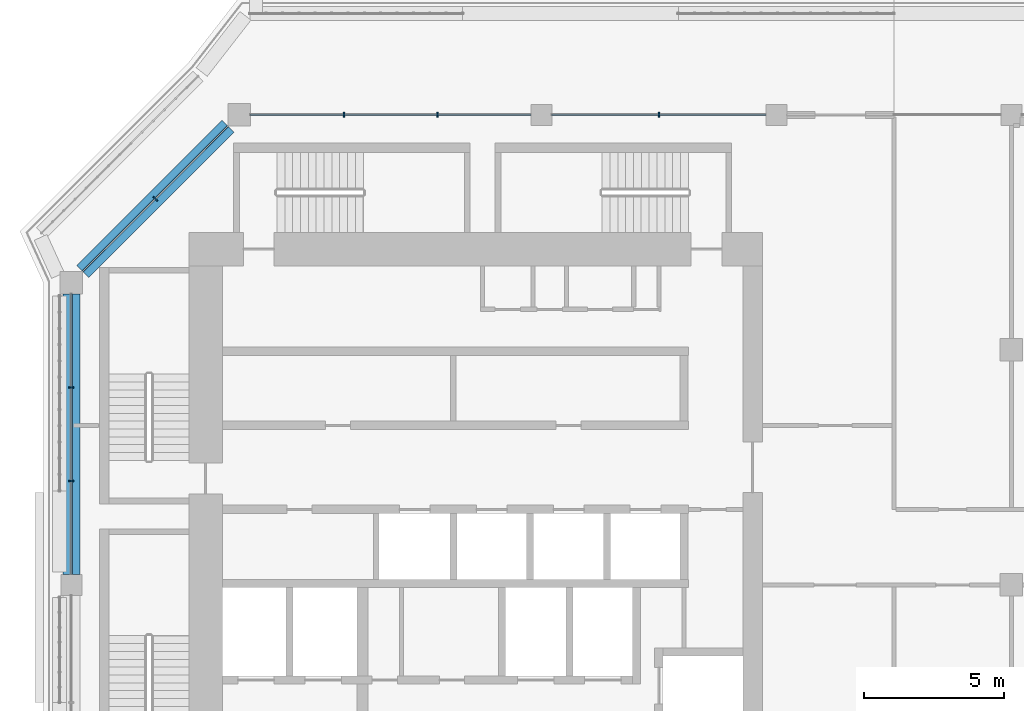
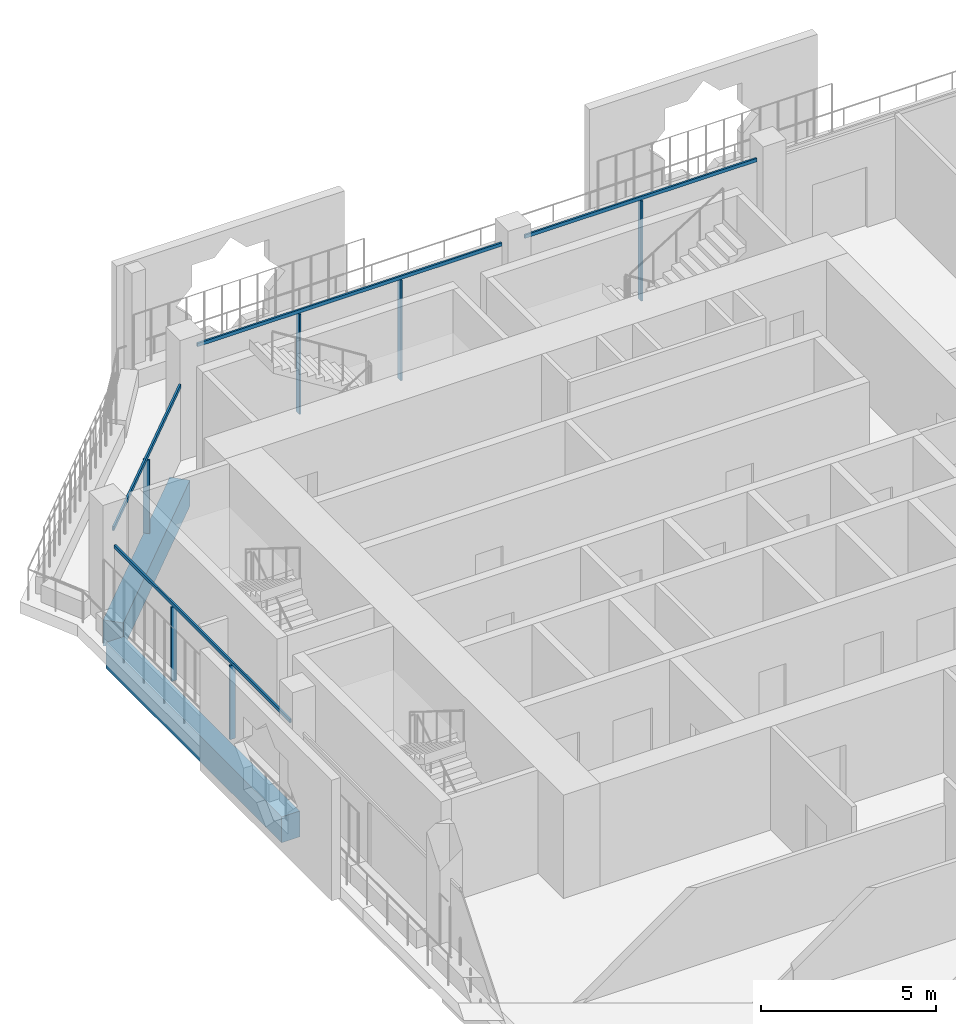
# One storey, part 6 of 21: 10 members, 2 beams, 3 elements without a shape of their own.
"""IFC4 building model written with IfcOpenShell, lengths in metres."""

from ifc_helpers import new_model, si_unit, direction, frame, origin, origin_2d, place, context, subcontext, project, spatial, rectangle, extrude, material, layer, layer_set, material_profile, profile_set, type_object, element, aggregate, save


model = new_model("IFC4")

# Units and contexts
model_context = context("Model", 3, precision=1e-05, world=origin(), true_north=direction((0.0, 1.0)))
body_context = subcontext(model_context, "Body", "Model", "MODEL_VIEW")
ifc_project = project(units=[si_unit("LENGTHUNIT", "METRE"), si_unit("AREAUNIT", "SQUARE_METRE"), si_unit("VOLUMEUNIT", "CUBIC_METRE"), si_unit("PLANEANGLEUNIT", "RADIAN"), si_unit("MASSUNIT", "GRAM", prefix="KILO")], contexts=[model_context])

# Site, building, storey
site_placement = place(None, origin())
site = spatial("IfcSite", under=ifc_project, at=site_placement, CompositionType="ELEMENT")
building_placement = place(site_placement, origin())
building = spatial("IfcBuilding", under=site, at=building_placement, Name="Kawkab Arch Medical Tower", CompositionType="ELEMENT")
storey_placement = place(building_placement, frame((0.0, 0.0, 319.60009765625)))
storey = spatial("IfcBuildingStorey", under=building, at=storey_placement, Name="L74", CompositionType="ELEMENT", Elevation=319.60009765625)

# Curtain wall, members
ifc_material_1 = material(Name="Bronze anodised aluminium curtain wall frame", Category="aluminium")
ifc_layer_1 = layer(ifc_material_1, 0.159912109375)
ifc_layer_set_1 = layer_set([ifc_layer_1], Name="Bronze anodised aluminium curtain wall frame")
curtain_wall_type_1 = type_object("IfcCurtainWallType", Name="CW1 ward curtain wall", PredefinedType="NOTDEFINED", material=ifc_layer_set_1)
placement = place(storey_placement, origin())
curtain_wall_1 = element("IfcCurtainWall", 1, at=placement, inside=storey, type_object=curtain_wall_type_1, Name="CW1 Ward curtain wall R02", PredefinedType="NOTDEFINED")
ifc_material_2 = material(Name="Bronze anodised aluminium curtain wall frame", Category="aluminium")
ifc_material_profile_1 = material_profile(ifc_material_2, rectangle(XDim=0.179931640625, YDim=0.06005859375, at=origin_2d()), Name="AL 60x180")
ifc_profile_set_1 = profile_set([ifc_material_profile_1], Name="Bronze anodised aluminium curtain wall frame")
member_type_1 = type_object("IfcMemberType", Name="CW1 mullion 60 x 180", PredefinedType="MULLION", material=ifc_profile_set_1)
member_1_placement = place(storey_placement, frame((0.0, -9.74169921875, 0.0), z_axis=(0.0, 0.0, 1.0), x_axis=(1.0, 0.0, 0.0)))
member_1 = element("IfcMember", 2, at=member_1_placement, type_object=member_type_1, Name="CW1 mullion 1.1", PredefinedType="MULLION", context=body_context, shape_type="SweptSolid", body=[
    extrude(rectangle(XDim=0.179931640625, YDim=0.06005859375, at=origin_2d()), origin(), (0.0, 0.0, 1.0), 2.579833984375),
])
member_2_placement = place(storey_placement, frame((0.0, -13.083251953125, 0.0), z_axis=(0.0, 0.0, 1.0), x_axis=(1.0, 0.0, 0.0)))
member_2 = element("IfcMember", 3, at=member_2_placement, type_object=member_type_1, Name="CW1 mullion 1.2", PredefinedType="MULLION", context=body_context, shape_type="SweptSolid", body=[
    extrude(rectangle(XDim=0.179931640625, YDim=0.06005859375, at=origin_2d()), origin(), (0.0, 0.0, 1.0), 2.579833984375),
])

curtain_wall_2 = element("IfcCurtainWall", 4, at=placement, inside=storey, type_object=curtain_wall_type_1, Name="CW1 Ward curtain wall R15", PredefinedType="NOTDEFINED")
member_3_placement = place(storey_placement, frame((21.0, 0.0, 0.0), z_axis=(0.0, 0.0, 1.0), x_axis=(0.0, -1.0, 0.0)))
member_3 = element("IfcMember", 5, at=member_3_placement, type_object=member_type_1, Name="CW1 mullion 4.1", PredefinedType="MULLION", context=body_context, shape_type="SweptSolid", body=[
    extrude(rectangle(XDim=0.179931640625, YDim=0.06005859375, at=origin_2d()), origin(), (0.0, 0.0, 1.0), 3.47998046875),
])
member_4_placement = place(storey_placement, frame((13.083251953125, 0.0, 0.0), z_axis=(0.0, 0.0, 1.0), x_axis=(0.0, -1.0, 0.0)))
member_4 = element("IfcMember", 6, at=member_4_placement, type_object=member_type_1, Name="CW1 mullion 5.1", PredefinedType="MULLION", context=body_context, shape_type="SweptSolid", body=[
    extrude(rectangle(XDim=0.179931640625, YDim=0.06005859375, at=origin_2d()), origin(), (0.0, 0.0, 1.0), 3.47998046875),
])
member_5_placement = place(storey_placement, frame((9.74169921875, 0.0, 0.0), z_axis=(0.0, 0.0, 1.0), x_axis=(0.0, -1.0, 0.0)))
member_5 = element("IfcMember", 7, at=member_5_placement, type_object=member_type_1, Name="CW1 mullion 5.2", PredefinedType="MULLION", context=body_context, shape_type="SweptSolid", body=[
    extrude(rectangle(XDim=0.179931640625, YDim=0.06005859375, at=origin_2d()), origin(), (0.0, 0.0, 1.0), 3.47998046875),
])

# Member
ifc_material_3 = material(Name="Bronze anodised aluminium curtain wall frame", Category="aluminium")
ifc_material_profile_2 = material_profile(ifc_material_3, rectangle(XDim=0.06005859375, YDim=0.1201171875, at=origin_2d()), Name="AL 60x120")
ifc_profile_set_2 = profile_set([ifc_material_profile_2], Name="Bronze anodised aluminium curtain wall frame")
member_type_2 = type_object("IfcMemberType", Name="CW1 transom 120 x 60", PredefinedType="USERDEFINED", material=ifc_profile_set_2)
member_6_placement = place(storey_placement, frame((0.0, -6.39990234375, 2.639892578125), z_axis=(0.0, -1.0, 0.0), x_axis=(1.0, 0.0, 0.0)))
member_6 = element("IfcMember", 8, at=member_6_placement, type_object=member_type_2, Name="CW1 transom 1", ObjectType="TRANSOM", PredefinedType="USERDEFINED", context=body_context, shape_type="SweptSolid", body=[
    extrude(rectangle(XDim=0.06005859375, YDim=0.1201171875, at=origin_2d()), origin(), (0.0, 0.0, 1.0), 10.025146484375),
])

aggregate(curtain_wall_1, [member_6, member_1, member_2])

member_7_placement = place(storey_placement, frame((24.824951171875, 0.0, 3.539794921875), z_axis=(-1.0, 0.0, 0.0), x_axis=(0.0, -1.0, 0.0)))
member_7 = element("IfcMember", 9, at=member_7_placement, type_object=member_type_2, Name="CW1 transom 4", ObjectType="TRANSOM", PredefinedType="USERDEFINED", context=body_context, shape_type="SweptSolid", body=[
    extrude(rectangle(XDim=0.06005859375, YDim=0.1201171875, at=origin_2d()), origin(), (0.0, 0.0, 1.0), 7.64990234375),
])

member_8_placement = place(storey_placement, frame((16.425048828125, 0.0, 3.539794921875), z_axis=(-1.0, 0.0, 0.0), x_axis=(0.0, -1.0, 0.0)))
member_8 = element("IfcMember", 10, at=member_8_placement, type_object=member_type_2, Name="CW1 transom 5", ObjectType="TRANSOM", PredefinedType="USERDEFINED", context=body_context, shape_type="SweptSolid", body=[
    extrude(rectangle(XDim=0.06005859375, YDim=0.1201171875, at=origin_2d()), origin(), (0.0, 0.0, 1.0), 10.025146484375),
])

aggregate(curtain_wall_2, [member_7, member_3, member_8, member_4, member_5])

# Curtain wall, members
ifc_material_4 = material(Name="Bronze anodised aluminium curtain wall frame", Category="aluminium")
ifc_layer_2 = layer(ifc_material_4, 0.159912109375)
ifc_layer_set_2 = layer_set([ifc_layer_2], Name="Bronze anodised aluminium curtain wall frame")
curtain_wall_type_2 = type_object("IfcCurtainWallType", Name="CW2 chamfer curtain wall", PredefinedType="NOTDEFINED", material=ifc_layer_set_2)
curtain_wall_3 = element("IfcCurtainWall", 11, at=placement, inside=storey, type_object=curtain_wall_type_2, Name="CW2 Chamfer curtain wall R01", PredefinedType="NOTDEFINED")
ifc_material_5 = material(Name="Bronze anodised aluminium curtain wall frame", Category="aluminium")
ifc_material_profile_3 = material_profile(ifc_material_5, rectangle(XDim=0.199951171875, YDim=0.06005859375, at=origin_2d()), Name="AL 60x200")
ifc_profile_set_3 = profile_set([ifc_material_profile_3], Name="Bronze anodised aluminium curtain wall frame")
member_type_3 = type_object("IfcMemberType", Name="CW2 mullion 60 x 200", PredefinedType="MULLION", material=ifc_profile_set_3)
member_9_placement = place(storey_placement, frame((3.0, -3.0, 0.0), z_axis=(0.0, 0.0, 1.0), x_axis=(0.707106781187, -0.707106781187, 0.0)))
member_9 = element("IfcMember", 12, at=member_9_placement, type_object=member_type_3, Name="CW2 mullion 1.1", PredefinedType="MULLION", context=body_context, shape_type="SweptSolid", body=[
    extrude(rectangle(XDim=0.199951171875, YDim=0.06005859375, at=origin_2d()), origin(), (0.0, 0.0, 1.0), 2.559814453125),
])
ifc_material_6 = material(Name="Bronze anodised aluminium curtain wall frame", Category="aluminium")
ifc_material_profile_4 = material_profile(ifc_material_6, rectangle(XDim=0.06005859375, YDim=0.139892578125, at=origin_2d()), Name="AL 60x140")
ifc_profile_set_4 = profile_set([ifc_material_profile_4], Name="Bronze anodised aluminium curtain wall frame")
member_type_4 = type_object("IfcMemberType", Name="CW2 transom 140 x 60", PredefinedType="USERDEFINED", material=ifc_profile_set_4)
member_10_placement = place(storey_placement, frame((5.60009765625, -0.39990234375, 2.6298828125), z_axis=(-0.707106781187, -0.707106781187, 0.0), x_axis=(0.707106781187, -0.707106781187, 0.0)))
member_10 = element("IfcMember", 13, at=member_10_placement, type_object=member_type_4, Name="CW2 transom 1", ObjectType="TRANSOM", PredefinedType="USERDEFINED", context=body_context, shape_type="SweptSolid", body=[
    extrude(rectangle(XDim=0.06005859375, YDim=0.139892578125, at=origin_2d()), origin(), (0.0, 0.0, 1.0), 7.354248046875),
])
aggregate(curtain_wall_3, [member_10, member_9])

# Beams
ifc_material_7 = material(Name="Concrete C40/50", Category="concrete")
ifc_material_profile_5 = material_profile(ifc_material_7, rectangle(XDim=0.60009765625, YDim=0.89990234375, at=origin_2d()), Name="RC 600x900")
ifc_profile_set_5 = profile_set([ifc_material_profile_5], Name="Concrete C40/50")
beam_type = type_object("IfcBeamType", Name="RC 600x900 beam C40/50", PredefinedType="BEAM", material=ifc_profile_set_5)
beam_1_placement = place(storey_placement, frame((0.39990234375, -5.60009765625, -1.050048828125), z_axis=(0.707106781187, 0.707106781187, 0.0), x_axis=(-0.707106781187, 0.707106781187, 0.0)))
element("IfcBeam", 14, at=beam_1_placement, inside=storey, type_object=beam_type, Name="Overhang edge beam L74-01", PredefinedType="BEAM", context=body_context, shape_type="SweptSolid", body=[
    extrude(rectangle(XDim=0.60009765625, YDim=0.89990234375, at=origin_2d()), origin(), (0.0, 0.0, 1.0), 7.354248046875),
])
beam_2_placement = place(storey_placement, frame((0.0, -16.425048828125, -1.050048828125), z_axis=(0.0, 1.0, 0.0), x_axis=(-1.0, 0.0, 0.0)))
element("IfcBeam", 15, at=beam_2_placement, inside=storey, type_object=beam_type, Name="Overhang edge beam L74-05", PredefinedType="BEAM", context=body_context, shape_type="SweptSolid", body=[
    extrude(rectangle(XDim=0.60009765625, YDim=0.89990234375, at=origin_2d()), origin(), (0.0, 0.0, 1.0), 10.025146484375),
])

save(model, "model.ifc")
